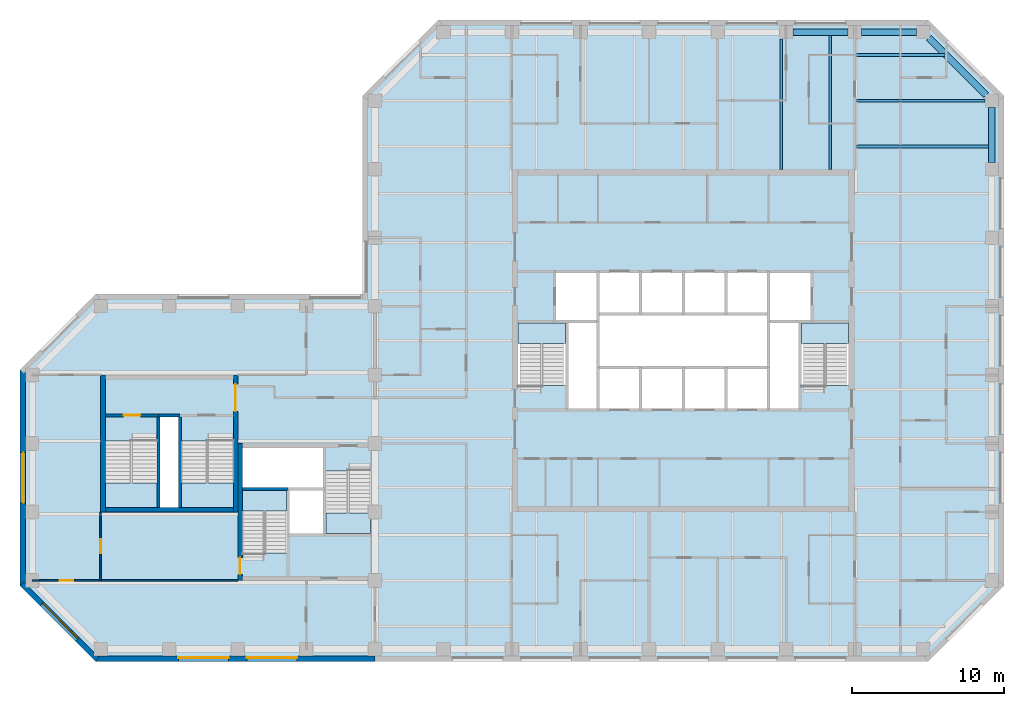
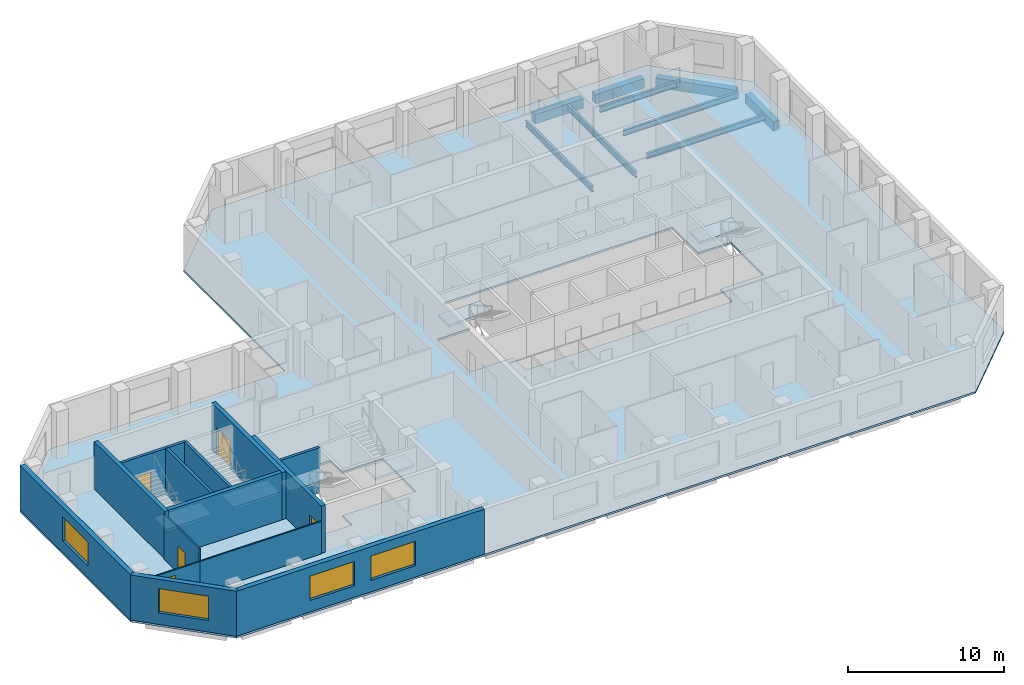
# One storey, part 2 of 10: 15 walls, 9 beams, 7 slabs, 5 doors, 4 windows, 9 openings, 6 elements without a shape of their own.
"""IFC4 building model written with IfcOpenShell, lengths in metres."""

from ifc_helpers import new_model, si_unit, direction, frame, frame_2d, origin, origin_2d, place, context, subcontext, project, spatial, polyline, rectangle, i_section, outline, extrude, material, layer, layer_set, constituent, constituent_set, material_profile, profile_set, type_object, element, fill, aggregate, save


model = new_model("IFC4")

# Units and contexts
model_context = context("Model", 3, precision=1e-05, world=origin(), true_north=direction((0.0, 1.0)))
body_context = subcontext(model_context, "Body", "Model", "MODEL_VIEW")
ifc_project = project(units=[si_unit("LENGTHUNIT", "METRE"), si_unit("AREAUNIT", "SQUARE_METRE"), si_unit("VOLUMEUNIT", "CUBIC_METRE"), si_unit("PLANEANGLEUNIT", "RADIAN"), si_unit("MASSUNIT", "GRAM", prefix="KILO")], contexts=[model_context])

# Site, building, storey
site_placement = place(None, origin())
site = spatial("IfcSite", under=ifc_project, at=site_placement, CompositionType="ELEMENT")
building_placement = place(site_placement, origin())
building = spatial("IfcBuilding", under=site, at=building_placement, Name="Quoin Convention Tower", CompositionType="ELEMENT")
storey_placement = place(building_placement, frame((0.0, 0.0, 195.800048828125)))
storey = spatial("IfcBuildingStorey", under=building, at=storey_placement, Name="L51", CompositionType="ELEMENT", Elevation=195.800048828125)

# Beams
ifc_material_1 = material(Name="Steel Grade 300", Category="steel")
ifc_material_profile_1 = material_profile(ifc_material_1, i_section(OverallWidth=0.18994140625, OverallDepth=0.4541015625, WebThickness=0.008544921875, FlangeThickness=0.0126953125, FilletRadius=0.011474609375, at=origin_2d()), Name="460UB67.1")
ifc_profile_set_1 = profile_set([ifc_material_profile_1], Name="Steel Grade 300")
beam_type_1 = type_object("IfcBeamType", Name="460UB67.1", PredefinedType="BEAM", material=ifc_profile_set_1)
beam_1_placement = place(storey_placement, frame((62.6787109375, 72.0, -0.376953125), z_axis=(0.0, 1.0, 0.0), x_axis=(-1.0, 0.0, 0.0)))
element("IfcBeam", 1, at=beam_1_placement, inside=storey, type_object=beam_type_1, Name="bm-L51-T1N5", PredefinedType="BEAM", context=body_context, shape_type="SweptSolid", body=[
    extrude(i_section(OverallWidth=0.18994140625, OverallDepth=0.4541015625, WebThickness=0.008544921875, FlangeThickness=0.0126953125, FilletRadius=0.011474609375, at=origin_2d()), origin(), (0.0, 0.0, 1.0), 8.550048828125),
])
beam_2_placement = place(storey_placement, frame((65.892822265625, 72.0, -0.376953125), z_axis=(0.0, 1.0, 0.0), x_axis=(-1.0, 0.0, 0.0)))
element("IfcBeam", 2, at=beam_2_placement, inside=storey, type_object=beam_type_1, Name="bm-L51-T1N6", PredefinedType="BEAM", context=body_context, shape_type="SweptSolid", body=[
    extrude(i_section(OverallWidth=0.18994140625, OverallDepth=0.4541015625, WebThickness=0.008544921875, FlangeThickness=0.0126953125, FilletRadius=0.011474609375, at=origin_2d()), origin(), (0.0, 0.0, 1.0), 8.77490234375),
])
beam_3_placement = place(storey_placement, frame((67.5, 79.5, -0.376953125), z_axis=(1.0, 0.0, 0.0), x_axis=(0.0, 1.0, 0.0)))
element("IfcBeam", 3, at=beam_3_placement, inside=storey, type_object=beam_type_1, Name="bm-L51-T1NE0", PredefinedType="BEAM", context=body_context, shape_type="SweptSolid", body=[
    extrude(i_section(OverallWidth=0.18994140625, OverallDepth=0.4541015625, WebThickness=0.008544921875, FlangeThickness=0.0126953125, FilletRadius=0.011474609375, at=origin_2d()), origin(), (0.0, 0.0, 1.0), 5.935791015625),
])
beam_4_placement = place(storey_placement, frame((67.5, 76.5, -0.376953125), z_axis=(1.0, 0.0, 0.0), x_axis=(0.0, 1.0, 0.0)))
element("IfcBeam", 4, at=beam_4_placement, inside=storey, type_object=beam_type_1, Name="bm-L51-T1NE1", PredefinedType="BEAM", context=body_context, shape_type="SweptSolid", body=[
    extrude(i_section(OverallWidth=0.18994140625, OverallDepth=0.4541015625, WebThickness=0.008544921875, FlangeThickness=0.0126953125, FilletRadius=0.011474609375, at=origin_2d()), origin(), (0.0, 0.0, 1.0), 8.550048828125),
])
beam_5_placement = place(storey_placement, frame((67.5, 73.5, -0.376953125), z_axis=(1.0, 0.0, 0.0), x_axis=(0.0, 1.0, 0.0)))
element("IfcBeam", 5, at=beam_5_placement, inside=storey, type_object=beam_type_1, Name="bm-L51-T1NE2", PredefinedType="BEAM", context=body_context, shape_type="SweptSolid", body=[
    extrude(i_section(OverallWidth=0.18994140625, OverallDepth=0.4541015625, WebThickness=0.008544921875, FlangeThickness=0.0126953125, FilletRadius=0.011474609375, at=origin_2d()), origin(), (0.0, 0.0, 1.0), 8.77490234375),
])
ifc_material_2 = material(Name="Concrete C50", Category="concrete")
ifc_material_profile_2 = material_profile(ifc_material_2, rectangle(XDim=0.449951171875, YDim=0.75, at=origin_2d()), Name="RC 450x750")
ifc_profile_set_2 = profile_set([ifc_material_profile_2], Name="Concrete C50")
beam_type_2 = type_object("IfcBeamType", Name="RC 450x750 C50", PredefinedType="SPANDREL", material=ifc_profile_set_2)
beam_6_placement = place(storey_placement, frame((76.5, 72.449951171875, -0.525146484375), z_axis=(0.0, 1.0, 0.0), x_axis=(-1.0, 0.0, 0.0)))
element("IfcBeam", 6, at=beam_6_placement, inside=storey, type_object=beam_type_2, Name="spd-L51-76500_72000-76500_76500", PredefinedType="SPANDREL", context=body_context, shape_type="SweptSolid", body=[
    extrude(rectangle(XDim=0.449951171875, YDim=0.75, at=origin_2d()), origin(), (0.0, 0.0, 1.0), 3.60009765625),
])
beam_7_placement = place(storey_placement, frame((76.135009765625, 76.864990234375, -0.525146484375), z_axis=(-0.707106781187, 0.707106781187, 0.0), x_axis=(-0.707106781187, -0.707106781187, 0.0)))
element("IfcBeam", 7, at=beam_7_placement, inside=storey, type_object=beam_type_2, Name="spd-L51-76500_76500-72000_81000", PredefinedType="SPANDREL", context=body_context, shape_type="SweptSolid", body=[
    extrude(rectangle(XDim=0.449951171875, YDim=0.75, at=origin_2d()), origin(), (0.0, 0.0, 1.0), 5.33154296875),
])
for number, where, z_axis, x_axis, name in (
    (8, (71.550048828125, 81.0, -0.525146484375), (-1.0, 0.0, 0.0), (0.0, -1.0, 0.0), "spd-L51-72000_81000-67500_81000"),
    (9, (67.050048828125, 81.0, -0.525146484375), (-1.0, 0.0, 0.0), (0.0, -1.0, 0.0), "spd-L51-67500_81000-63000_81000"),
):
    element("IfcBeam", number, at=place(storey_placement, frame(where, z_axis=z_axis, x_axis=x_axis)), inside=storey, type_object=beam_type_2, Name=name, PredefinedType="SPANDREL", context=body_context, shape_type="SweptSolid", body=[
        extrude(rectangle(XDim=0.449951171875, YDim=0.75, at=origin_2d()), origin(), (0.0, 0.0, 1.0), 3.60009765625),
    ])

# Slab
ifc_material_3 = material(Name="Concrete C40", Category="concrete")
ifc_layer_1 = layer(ifc_material_3, 0.14990234375)
ifc_layer_set_1 = layer_set([ifc_layer_1], Name="Concrete C40")
slab_type_1 = type_object("IfcSlabType", Name="COMPOSITE SLAB 150 C40", PredefinedType="FLOOR", material=ifc_layer_set_1)
slab_1_placement = place(storey_placement, frame((0.0, 0.0, -0.150146484375)))
element("IfcSlab", 10, at=slab_1_placement, inside=storey, type_object=slab_type_1, Name="slb-L51", PredefinedType="FLOOR", context=body_context, shape_type="SweptSolid", body=[
    extrude(outline(polyline([(17.668701171875, 39.699951171875), (12.699951171875, 44.668701171875), (12.699951171875, 58.831298828125), (17.668701171875, 63.800048828125), (35.199951171875, 63.800048828125), (35.199951171875, 76.831298828125), (40.168701171875, 81.800048828125), (72.331298828125, 81.800048828125), (77.300048828125, 76.831298828125), (77.300048828125, 44.668701171875), (72.331298828125, 39.699951171875), (17.668701171875, 39.699951171875)]), holes=[polyline([(27.300048828125, 51.0), (27.300048828125, 46.800537109375), (30.300048828125, 46.800537109375), (30.300048828125, 48.0), (32.699951171875, 48.0), (35.699951171875, 48.0), (35.699951171875, 52.199462890625), (32.699951171875, 52.199462890625), (32.699951171875, 53.699951171875), (27.300048828125, 53.699951171875), (27.300048828125, 51.0)]), polyline([(18.300048828125, 49.800048828125), (21.800048828125, 49.800048828125), (23.199951171875, 49.800048828125), (26.699951171875, 49.800048828125), (26.699951171875, 54.1494140625), (23.199951171875, 54.1494140625), (23.199951171875, 55.85009765625), (21.800048828125, 55.85009765625), (21.800048828125, 54.1494140625), (18.300048828125, 54.1494140625), (18.300048828125, 49.800048828125)]), polyline([(48.60009765625, 56.199951171875), (50.64990234375, 56.199951171875), (53.449951171875, 56.199951171875), (56.25, 56.199951171875), (59.050048828125, 56.199951171875), (61.85009765625, 56.199951171875), (63.89990234375, 56.199951171875), (63.89990234375, 57.800537109375), (67.10009765625, 57.800537109375), (67.10009765625, 62.0), (64.699951171875, 62.0), (64.699951171875, 65.300048828125), (61.85009765625, 65.300048828125), (59.050048828125, 65.300048828125), (56.25, 65.300048828125), (53.449951171875, 65.300048828125), (50.64990234375, 65.300048828125), (47.800048828125, 65.300048828125), (47.800048828125, 62.0), (45.39990234375, 62.0), (45.39990234375, 57.800537109375), (48.60009765625, 57.800537109375), (48.60009765625, 56.199951171875)])]), origin(), (0.0, 0.0, 1.0), 0.150146484375),
])

# Stair, slab
stair_type_1 = type_object("IfcStairType", Name="Exit stair two-flight 1350", PredefinedType="HALF_TURN_STAIR", material=ifc_material_3)
stair_1_placement = place(storey_placement, origin())
stair_1 = element("IfcStair", 11, at=stair_1_placement, inside=storey, type_object=stair_type_1, Name="SD1 L51", PredefinedType="HALF_TURN_STAIR")
ifc_layer_2 = layer(ifc_material_3, 0.199951171875)
ifc_layer_set_2 = layer_set([ifc_layer_2], Name="Concrete C40")
slab_type_2 = type_object("IfcSlabType", Name="Stair landing 200", PredefinedType="LANDING", material=ifc_layer_set_2)
slab_2_placement = place(storey_placement, frame((0.0, 0.0, 1.792236328125)))
slab_2 = element("IfcSlab", 12, at=slab_2_placement, type_object=slab_type_2, Name="ST1 landing 1", PredefinedType="LANDING", context=body_context, shape_type="SweptSolid", body=[
    extrude(outline(polyline([(45.39990234375, 60.550048828125), (48.5, 60.550048828125), (48.5, 61.89990234375), (45.39990234375, 61.89990234375), (45.39990234375, 60.550048828125)])), origin(), (0.0, 0.0, 1.0), 0.199951171875),
])
aggregate(stair_1, [slab_2])

stair_2_placement = place(storey_placement, origin())
stair_2 = element("IfcStair", 13, at=stair_2_placement, inside=storey, type_object=stair_type_1, Name="SD2 L51", PredefinedType="HALF_TURN_STAIR")
slab_3_placement = place(storey_placement, frame((0.0, 0.0, 1.792236328125)))
slab_3 = element("IfcSlab", 14, at=slab_3_placement, type_object=slab_type_2, Name="ST2 landing 1", PredefinedType="LANDING", context=body_context, shape_type="SweptSolid", body=[
    extrude(outline(polyline([(64.0, 60.550048828125), (67.10009765625, 60.550048828125), (67.10009765625, 61.89990234375), (64.0, 61.89990234375), (64.0, 60.550048828125)])), origin(), (0.0, 0.0, 1.0), 0.199951171875),
])
aggregate(stair_2, [slab_3])

stair_3_placement = place(storey_placement, origin())
stair_3 = element("IfcStair", 15, at=stair_3_placement, inside=storey, type_object=stair_type_1, Name="SD3 L51", PredefinedType="HALF_TURN_STAIR")
slab_4_placement = place(storey_placement, frame((0.0, 0.0, 1.792236328125)))
slab_4 = element("IfcSlab", 16, at=slab_4_placement, type_object=slab_type_2, Name="ST3 landing 1", PredefinedType="LANDING", context=body_context, shape_type="SweptSolid", body=[
    extrude(outline(polyline([(27.300048828125, 49.550048828125), (30.199951171875, 49.550048828125), (30.199951171875, 50.89990234375), (27.300048828125, 50.89990234375), (27.300048828125, 49.550048828125)])), origin(), (0.0, 0.0, 1.0), 0.199951171875),
])
aggregate(stair_3, [slab_4])

stair_4_placement = place(storey_placement, origin())
stair_4 = element("IfcStair", 17, at=stair_4_placement, inside=storey, type_object=stair_type_1, Name="SD4 L51", PredefinedType="HALF_TURN_STAIR")
slab_5_placement = place(storey_placement, frame((0.0, 0.0, 1.792236328125)))
slab_5 = element("IfcSlab", 18, at=slab_5_placement, type_object=slab_type_2, Name="ST4 landing 1", PredefinedType="LANDING", context=body_context, shape_type="SweptSolid", body=[
    extrude(outline(polyline([(35.699951171875, 49.449951171875), (32.800048828125, 49.449951171875), (32.800048828125, 48.10009765625), (35.699951171875, 48.10009765625), (35.699951171875, 49.449951171875)])), origin(), (0.0, 0.0, 1.0), 0.199951171875),
])
aggregate(stair_4, [slab_5])

stair_type_2 = type_object("IfcStairType", Name="Exit stair two-flight 1600", PredefinedType="HALF_TURN_STAIR", material=ifc_material_3)
stair_5_placement = place(storey_placement, origin())
stair_5 = element("IfcStair", 19, at=stair_5_placement, inside=storey, type_object=stair_type_2, Name="SD11 L51", PredefinedType="HALF_TURN_STAIR")
slab_6_placement = place(storey_placement, frame((0.0, 0.0, 1.792236328125)))
slab_6 = element("IfcSlab", 20, at=slab_6_placement, type_object=slab_type_2, Name="ST11 landing 1", PredefinedType="LANDING", context=body_context, shape_type="SweptSolid", body=[
    extrude(outline(polyline([(21.699951171875, 51.39990234375), (18.300048828125, 51.39990234375), (18.300048828125, 49.800048828125), (21.699951171875, 49.800048828125), (21.699951171875, 51.39990234375)])), origin(), (0.0, 0.0, 1.0), 0.199951171875),
])
aggregate(stair_5, [slab_6])

stair_6_placement = place(storey_placement, origin())
stair_6 = element("IfcStair", 21, at=stair_6_placement, inside=storey, type_object=stair_type_2, Name="SD12 L51", PredefinedType="HALF_TURN_STAIR")
slab_7_placement = place(storey_placement, frame((0.0, 0.0, 1.792236328125)))
slab_7 = element("IfcSlab", 22, at=slab_7_placement, type_object=slab_type_2, Name="ST12 landing 1", PredefinedType="LANDING", context=body_context, shape_type="SweptSolid", body=[
    extrude(outline(polyline([(26.699951171875, 51.39990234375), (23.300048828125, 51.39990234375), (23.300048828125, 49.800048828125), (26.699951171875, 49.800048828125), (26.699951171875, 51.39990234375)])), origin(), (0.0, 0.0, 1.0), 0.199951171875),
])
aggregate(stair_6, [slab_7])

# Wall, opening, window
ifc_material_4 = material(Name="Brick masonry", Category="masonry")
ifc_layer_3 = layer(ifc_material_4, 0.35009765625)
ifc_layer_set_3 = layer_set([ifc_layer_3], Name="Brick masonry")
wall_type_1 = type_object("IfcWallType", Name="Brick facade wall", PredefinedType="STANDARD", material=ifc_layer_set_3)
wall_1_placement = place(storey_placement, frame((12.875, 58.831298828125, 0.0), z_axis=(0.0, 0.0, 1.0), x_axis=(0.0, -1.0, 0.0)))
wall_1 = element("IfcWall", 23, at=wall_1_placement, inside=storey, type_object=wall_type_1, Name="fw-L51-13500_58500", PredefinedType="STANDARD", context=body_context, shape_type="SweptSolid", body=[
    extrude(rectangle(XDim=14.16259765625, YDim=0.35009765625, at=frame_2d((7.081298828125, 0.0))), origin(), (0.0, 0.0, 1.0), 3.52490234375),
])
opening_1_placement = place(wall_1_placement, frame((5.431396484375, 0.0, 0.89990234375)))
opening_1 = element("IfcOpeningElement", 24, at=opening_1_placement, cuts=wall_1, Name="Opening W-02", PredefinedType="OPENING", context=body_context, shape_type="SweptSolid", body=[
    extrude(rectangle(XDim=3.300048828125, YDim=1.89990234375, at=frame_2d((1.64990234375, 0.949951171875))), frame((0.0, 0.18505859375, 0.0), z_axis=(0.0, -1.0, 0.0), x_axis=(1.0, 0.0, 0.0)), (0.0, 0.0, 1.0), 0.3701171875),
])
ifc_material_5 = material(Name="Aluminium", Category="aluminium")
ifc_constituent_1 = constituent(ifc_material_5, Name="Frame")
ifc_material_6 = material(Name="Insulated glass", Category="glass")
ifc_constituent_2 = constituent(ifc_material_6, Name="Glazing")
ifc_constituent_set = constituent_set(constituents=[ifc_constituent_1, ifc_constituent_2], Name="Aluminium")
window_type = type_object("IfcWindowType", Name="Office window", PartitioningType="DOUBLE_PANEL_VERTICAL", PredefinedType="WINDOW", material=ifc_constituent_set)
window_1_placement = place(opening_1_placement, origin())
window_1 = element("IfcWindow", 25, at=window_1_placement, inside=storey, type_object=window_type, Name="win-L51-12875_51750", OverallHeight=1.89990234375, OverallWidth=3.300048828125, PartitioningType="SINGLE_PANEL", PredefinedType="WINDOW", context=body_context, shape_type="SweptSolid", body=[
    extrude(rectangle(XDim=3.300048828125, YDim=1.89990234375, at=frame_2d((1.64990234375, 0.949951171875))), frame((0.0, 0.0849609375, 0.0), z_axis=(0.0, -1.0, 0.0), x_axis=(1.0, 0.0, 0.0)), (0.0, 0.0, 1.0), 0.06005859375),
])
fill(opening_1, window_1)

wall_2_placement = place(storey_placement, frame((12.82373046875, 44.79248046875, 0.0), z_axis=(0.0, 0.0, 1.0), x_axis=(0.707106781187, -0.707106781187, 0.0)))
wall_2 = element("IfcWall", 26, at=wall_2_placement, inside=storey, type_object=wall_type_1, Name="fw-L51-13500_45000", PredefinedType="STANDARD", context=body_context, shape_type="SweptSolid", body=[
    extrude(rectangle(XDim=7.02685546875, YDim=0.35009765625, at=frame_2d((3.513427734375, 0.0))), origin(), (0.0, 0.0, 1.0), 3.52490234375),
])
opening_2_placement = place(wall_2_placement, frame((1.86328125, 0.0, 0.89990234375)))
opening_2 = element("IfcOpeningElement", 27, at=opening_2_placement, cuts=wall_2, Name="Opening W-02", PredefinedType="OPENING", context=body_context, shape_type="SweptSolid", body=[
    extrude(rectangle(XDim=3.300048828125, YDim=1.89990234375, at=frame_2d((1.64990234375, 0.949951171875))), frame((0.0, 0.18505859375, 0.0), z_axis=(0.0, -1.0, 0.0), x_axis=(1.0, 0.0, 0.0)), (0.0, 0.0, 1.0), 0.3701171875),
])
window_2_placement = place(opening_2_placement, origin())
window_2 = element("IfcWindow", 28, at=window_2_placement, inside=storey, type_object=window_type, Name="win-L51-15308_42308", OverallHeight=1.89990234375, OverallWidth=3.300048828125, PartitioningType="SINGLE_PANEL", PredefinedType="WINDOW", context=body_context, shape_type="SweptSolid", body=[
    extrude(rectangle(XDim=3.300048828125, YDim=1.89990234375, at=frame_2d((1.64990234375, 0.949951171875))), frame((0.0, 0.0849609375, 0.0), z_axis=(0.0, -1.0, 0.0), x_axis=(1.0, 0.0, 0.0)), (0.0, 0.0, 1.0), 0.06005859375),
])
fill(opening_2, window_2)

# Wall, openings, windows
wall_3_placement = place(storey_placement, frame((17.668701171875, 39.875, 0.0), z_axis=(0.0, 0.0, 1.0), x_axis=(1.0, 0.0, 0.0)))
wall_3 = element("IfcWall", 29, at=wall_3_placement, inside=storey, type_object=wall_type_1, Name="fw-L51-18000_40500", PredefinedType="STANDARD", context=body_context, shape_type="SweptSolid", body=[
    extrude(rectangle(XDim=18.331298828125, YDim=0.35009765625, at=frame_2d((9.16552734375, 0.0))), origin(), (0.0, 0.0, 1.0), 3.52490234375),
])
opening_3_placement = place(wall_3_placement, frame((5.431396484375, 0.0, 0.89990234375)))
opening_3 = element("IfcOpeningElement", 30, at=opening_3_placement, cuts=wall_3, Name="Opening W-02", PredefinedType="OPENING", context=body_context, shape_type="SweptSolid", body=[
    extrude(rectangle(XDim=3.300048828125, YDim=1.89990234375, at=frame_2d((1.64990234375, 0.949951171875))), frame((0.0, 0.18505859375, 0.0), z_axis=(0.0, -1.0, 0.0), x_axis=(1.0, 0.0, 0.0)), (0.0, 0.0, 1.0), 0.3701171875),
])
opening_4_placement = place(wall_3_placement, frame((9.931396484375, 0.0, 0.89990234375)))
opening_4 = element("IfcOpeningElement", 31, at=opening_4_placement, cuts=wall_3, Name="Opening W-02", PredefinedType="OPENING", context=body_context, shape_type="SweptSolid", body=[
    extrude(rectangle(XDim=3.300048828125, YDim=1.89990234375, at=frame_2d((1.64990234375, 0.949951171875))), frame((0.0, 0.18505859375, 0.0), z_axis=(0.0, -1.0, 0.0), x_axis=(1.0, 0.0, 0.0)), (0.0, 0.0, 1.0), 0.3701171875),
])
window_3_placement = place(opening_3_placement, origin())
window_3 = element("IfcWindow", 32, at=window_3_placement, inside=storey, type_object=window_type, Name="win-L51-24750_39875", OverallHeight=1.89990234375, OverallWidth=3.300048828125, PartitioningType="SINGLE_PANEL", PredefinedType="WINDOW", context=body_context, shape_type="SweptSolid", body=[
    extrude(rectangle(XDim=3.300048828125, YDim=1.89990234375, at=frame_2d((1.64990234375, 0.949951171875))), frame((0.0, 0.0849609375, 0.0), z_axis=(0.0, -1.0, 0.0), x_axis=(1.0, 0.0, 0.0)), (0.0, 0.0, 1.0), 0.06005859375),
])
fill(opening_3, window_3)
window_4_placement = place(opening_4_placement, origin())
window_4 = element("IfcWindow", 33, at=window_4_placement, inside=storey, type_object=window_type, Name="win-L51-29250_39875", OverallHeight=1.89990234375, OverallWidth=3.300048828125, PartitioningType="SINGLE_PANEL", PredefinedType="WINDOW", context=body_context, shape_type="SweptSolid", body=[
    extrude(rectangle(XDim=3.300048828125, YDim=1.89990234375, at=frame_2d((1.64990234375, 0.949951171875))), frame((0.0, 0.0849609375, 0.0), z_axis=(0.0, -1.0, 0.0), x_axis=(1.0, 0.0, 0.0)), (0.0, 0.0, 1.0), 0.06005859375),
])
fill(opening_4, window_4)

# Walls
ifc_layer_4 = layer(ifc_material_2, 0.199951171875)
ifc_layer_set_4 = layer_set([ifc_layer_4], Name="Concrete C50")
wall_type_2 = type_object("IfcWallType", Name="Core shaft wall", PredefinedType="SOLIDWALL", material=ifc_layer_set_4)
wall_4_placement = place(storey_placement, frame((27.300048828125, 51.0, 0.0), z_axis=(0.0, 0.0, 1.0), x_axis=(1.0, 0.0, 0.0)))
element("IfcWall", 34, at=wall_4_placement, inside=storey, type_object=wall_type_2, Name="cr-P2-L51-h6000_300", PredefinedType="SOLIDWALL", context=body_context, shape_type="SweptSolid", body=[
    extrude(rectangle(XDim=3.0, YDim=0.199951171875, at=frame_2d((1.5, 0.0))), origin(), (0.0, 0.0, 1.0), 3.550048828125),
])
wall_5_placement = place(storey_placement, frame((21.800048828125, 55.85009765625, 0.0), z_axis=(0.0, 0.0, 1.0), x_axis=(1.0, 0.0, 0.0)))
element("IfcWall", 35, at=wall_5_placement, inside=storey, type_object=wall_type_2, Name="cr-P6-L51-h6350_3800", PredefinedType="SOLIDWALL", context=body_context, shape_type="SweptSolid", body=[
    extrude(rectangle(XDim=1.39990234375, YDim=0.199951171875, at=frame_2d((0.699951171875, 0.0))), origin(), (0.0, 0.0, 1.0), 3.550048828125),
])

# Wall, opening, door
wall_6_placement = place(storey_placement, frame((18.300048828125, 55.85009765625, 0.0), z_axis=(0.0, 0.0, 1.0), x_axis=(1.0, 0.0, 0.0)))
wall_6 = element("IfcWall", 36, at=wall_6_placement, inside=storey, type_object=wall_type_2, Name="cr-P6-L51-h6350_300", PredefinedType="SOLIDWALL", context=body_context, shape_type="SweptSolid", body=[
    extrude(rectangle(XDim=3.5, YDim=0.199951171875, at=frame_2d((1.75, 0.0))), origin(), (0.0, 0.0, 1.0), 3.550048828125),
])
opening_5_placement = place(wall_6_placement, frame((1.199951171875, 0.0, 0.0)))
opening_5 = element("IfcOpeningElement", 37, at=opening_5_placement, cuts=wall_6, Name="Opening SD11", PredefinedType="OPENING", context=body_context, shape_type="SweptSolid", body=[
    extrude(rectangle(XDim=1.10009765625, YDim=2.10009765625, at=frame_2d((0.550048828125, 1.050048828125))), frame((0.0, 0.10986328125, 0.0), z_axis=(0.0, -1.0, 0.0), x_axis=(1.0, 0.0, 0.0)), (0.0, 0.0, 1.0), 0.219970703125),
])
ifc_material_7 = material(Name="Steel door leaf", Category="steel")
door_type_1 = type_object("IfcDoorType", Name="Stair door 1100 x 2100", OperationType="SINGLE_SWING_RIGHT", PredefinedType="DOOR", material=ifc_material_7)
door_1_placement = place(opening_5_placement, origin())
door_1 = element("IfcDoor", 38, at=door_1_placement, inside=storey, type_object=door_type_1, Name="cd-P6-L51-SA-R2-SD11", OperationType="SINGLE_SWING_RIGHT", OverallHeight=2.10009765625, OverallWidth=1.10009765625, PredefinedType="DOOR", context=body_context, shape_type="SweptSolid", body=[
    extrude(rectangle(XDim=1.10009765625, YDim=2.10009765625, at=frame_2d((0.550048828125, 1.050048828125))), frame((0.0, 0.02490234375, 0.0), z_axis=(0.0, -1.0, 0.0), x_axis=(1.0, 0.0, 0.0)), (0.0, 0.0, 1.0), 0.050048828125),
])
fill(opening_5, door_1)

# Walls
for number, where, z_axis, x_axis, name in (
    (39, (21.800048828125, 49.800048828125, 0.0), (0.0, 0.0, 1.0), (0.0, 1.0, 0.0), "cr-P6-L51-v3800_300"),
    (40, (23.199951171875, 49.800048828125, 0.0), (0.0, 0.0, 1.0), (0.0, 1.0, 0.0), "cr-P6-L51-v5200_300"),
):
    element("IfcWall", number, at=place(storey_placement, frame(where, z_axis=z_axis, x_axis=x_axis)), inside=storey, type_object=wall_type_2, Name=name, PredefinedType="SOLIDWALL", context=body_context, shape_type="SweptSolid", body=[
        extrude(rectangle(XDim=6.050048828125, YDim=0.199951171875, at=frame_2d((3.02490234375, 0.0))), origin(), (0.0, 0.0, 1.0), 3.550048828125),
    ])

# Wall, opening, door
ifc_layer_5 = layer(ifc_material_2, 0.300048828125)
ifc_layer_set_5 = layer_set([ifc_layer_5], Name="Concrete C50")
wall_type_3 = type_object("IfcWallType", Name="RC CORE WALL 300 C50", PredefinedType="SHEAR", material=ifc_layer_set_5)
wall_7_placement = place(storey_placement, frame((27.14990234375, 45.0, 0.0), z_axis=(0.0, 0.0, 1.0), x_axis=(0.0, 1.0, 0.0)))
wall_7 = element("IfcWall", 41, at=wall_7_placement, inside=storey, type_object=wall_type_3, Name="cwl-P2-L51-W", PredefinedType="SHEAR", context=body_context, shape_type="SweptSolid", body=[
    extrude(rectangle(XDim=9.0, YDim=0.300048828125, at=frame_2d((4.5, 0.0))), origin(), (0.0, 0.0, 1.0), 3.699951171875),
])
opening_6_placement = place(wall_7_placement, frame((0.39990234375, 0.0, 0.0)))
opening_6 = element("IfcOpeningElement", 42, at=opening_6_placement, cuts=wall_7, Name="Opening SD3", PredefinedType="OPENING", context=body_context, shape_type="SweptSolid", body=[
    extrude(rectangle(XDim=1.10009765625, YDim=2.10009765625, at=frame_2d((0.550048828125, 1.050048828125))), frame((0.0, 0.159912109375, 0.0), z_axis=(0.0, -1.0, 0.0), x_axis=(1.0, 0.0, 0.0)), (0.0, 0.0, 1.0), 0.320068359375),
])
door_2_placement = place(opening_6_placement, frame((1.10009765625, 0.0, 0.0), z_axis=(0.0, 0.0, 1.0), x_axis=(-1.0, 0.0, 0.0)))
door_2 = element("IfcDoor", 43, at=door_2_placement, inside=storey, type_object=door_type_1, Name="cd-P2-L51-SA-W", OperationType="SINGLE_SWING_RIGHT", OverallHeight=2.10009765625, OverallWidth=1.10009765625, PredefinedType="DOOR", context=body_context, shape_type="SweptSolid", body=[
    extrude(rectangle(XDim=1.10009765625, YDim=2.10009765625, at=frame_2d((0.550048828125, 1.050048828125))), frame((0.0, 0.02490234375, 0.0), z_axis=(0.0, -1.0, 0.0), x_axis=(1.0, 0.0, 0.0)), (0.0, 0.0, 1.0), 0.050048828125),
])
fill(opening_6, door_2)

# Walls
wall_8_placement = place(storey_placement, frame((18.300048828125, 49.64990234375, 0.0), z_axis=(0.0, 0.0, 1.0), x_axis=(1.0, 0.0, 0.0)))
element("IfcWall", 44, at=wall_8_placement, inside=storey, type_object=wall_type_3, Name="cwl-P6-L51-S", PredefinedType="SHEAR", context=body_context, shape_type="SweptSolid", body=[
    extrude(rectangle(XDim=8.39990234375, YDim=0.300048828125, at=frame_2d((4.199951171875, 0.0))), origin(), (0.0, 0.0, 1.0), 3.699951171875),
])
wall_9_placement = place(storey_placement, frame((18.14990234375, 49.5, 0.0), z_axis=(0.0, 0.0, 1.0), x_axis=(0.0, 1.0, 0.0)))
element("IfcWall", 45, at=wall_9_placement, inside=storey, type_object=wall_type_3, Name="cwl-P6-L51-W", PredefinedType="SHEAR", context=body_context, shape_type="SweptSolid", body=[
    extrude(rectangle(XDim=9.0, YDim=0.300048828125, at=frame_2d((4.5, 0.0))), origin(), (0.0, 0.0, 1.0), 3.699951171875),
])

# Wall, opening, door
wall_10_placement = place(storey_placement, frame((26.85009765625, 49.5, 0.0), z_axis=(0.0, 0.0, 1.0), x_axis=(0.0, 1.0, 0.0)))
wall_10 = element("IfcWall", 46, at=wall_10_placement, inside=storey, type_object=wall_type_3, Name="cwl-P6-L51-E", PredefinedType="SHEAR", context=body_context, shape_type="SweptSolid", body=[
    extrude(rectangle(XDim=9.0, YDim=0.300048828125, at=frame_2d((4.5, 0.0))), origin(), (0.0, 0.0, 1.0), 3.699951171875),
])
opening_7_placement = place(wall_10_placement, frame((6.60009765625, 0.0, 0.0)))
opening_7 = element("IfcOpeningElement", 47, at=opening_7_placement, cuts=wall_10, Name="Opening DCV5-54", PredefinedType="OPENING", context=body_context, shape_type="SweptSolid", body=[
    extrude(rectangle(XDim=1.800048828125, YDim=2.10009765625, at=frame_2d((0.89990234375, 1.050048828125))), frame((0.0, 0.159912109375, 0.0), z_axis=(0.0, -1.0, 0.0), x_axis=(1.0, 0.0, 0.0)), (0.0, 0.0, 1.0), 0.320068359375),
])
door_type_2 = type_object("IfcDoorType", Name="Goods lobby door 1800 x 2100", OperationType="SINGLE_SWING_LEFT", PredefinedType="DOOR", material=ifc_material_7)
door_3_placement = place(opening_7_placement, origin())
door_3 = element("IfcDoor", 48, at=door_3_placement, inside=storey, type_object=door_type_2, Name="cd-P6-L51-R2-E", OperationType="SINGLE_SWING_LEFT", OverallHeight=2.10009765625, OverallWidth=1.800048828125, PredefinedType="DOOR", context=body_context, shape_type="SweptSolid", body=[
    extrude(rectangle(XDim=1.800048828125, YDim=2.10009765625, at=frame_2d((0.89990234375, 1.050048828125))), frame((0.0, 0.02490234375, 0.0), z_axis=(0.0, -1.0, 0.0), x_axis=(1.0, 0.0, 0.0)), (0.0, 0.0, 1.0), 0.050048828125),
])
fill(opening_7, door_3)

ifc_material_8 = material(Name="Plasterboard")
ifc_layer_6 = layer(ifc_material_8, 0.012451171875, Name="Finish")
ifc_material_9 = material(Name="Steel stud framing", Category="steel")
ifc_layer_7 = layer(ifc_material_9, 0.074951171875, Name="Structure")
ifc_layer_8 = layer(ifc_material_8, 0.012451171875, Name="Finish")
ifc_layer_set_6 = layer_set([ifc_layer_6, ifc_layer_7, ifc_layer_8], Name="Steel stud framing")
wall_type_4 = type_object("IfcWallType", Name="Stud partition 100", PredefinedType="PARTITIONING", material=ifc_layer_set_6)
wall_11_placement = place(storey_placement, frame((18.0, 49.5, 0.0), z_axis=(0.0, 0.0, 1.0), x_axis=(0.0, -1.0, 0.0)))
wall_11 = element("IfcWall", 49, at=wall_11_placement, inside=storey, type_object=wall_type_4, Name="pw-L51-w05", PredefinedType="PARTITIONING", context=body_context, shape_type="SweptSolid", body=[
    extrude(rectangle(XDim=4.5, YDim=0.10009765625, at=frame_2d((2.25, 0.0))), origin(), (0.0, 0.0, 1.0), 3.550048828125),
])
opening_8_placement = place(wall_11_placement, frame((1.800048828125, 0.0, 0.0)))
opening_8 = element("IfcOpeningElement", 50, at=opening_8_placement, cuts=wall_11, Name="Opening DOH7-33", PredefinedType="OPENING", context=body_context, shape_type="SweptSolid", body=[
    extrude(rectangle(XDim=0.89990234375, YDim=2.10009765625, at=frame_2d((0.449951171875, 1.050048828125))), frame((0.0, 0.06005859375, 0.0), z_axis=(0.0, -1.0, 0.0), x_axis=(1.0, 0.0, 0.0)), (0.0, 0.0, 1.0), 0.1201171875),
])
door_type_3 = type_object("IfcDoorType", Name="Office door 900 x 2100", OperationType="SINGLE_SWING_RIGHT", PredefinedType="DOOR", material=ifc_material_7)
door_4_placement = place(opening_8_placement, frame((0.89990234375, 0.0, 0.0), z_axis=(0.0, 0.0, 1.0), x_axis=(-1.0, 0.0, 0.0)))
door_4 = element("IfcDoor", 51, at=door_4_placement, inside=storey, type_object=door_type_3, Name="dr-L51-w05", OperationType="SINGLE_SWING_LEFT", OverallHeight=2.10009765625, OverallWidth=0.89990234375, PredefinedType="DOOR", context=body_context, shape_type="SweptSolid", body=[
    extrude(rectangle(XDim=0.89990234375, YDim=2.10009765625, at=frame_2d((0.449951171875, 1.050048828125))), frame((0.0, 0.02490234375, 0.0), z_axis=(0.0, -1.0, 0.0), x_axis=(1.0, 0.0, 0.0)), (0.0, 0.0, 1.0), 0.050048828125),
])
fill(opening_8, door_4)

ifc_layer_9 = layer(ifc_material_8, 0.012451171875, Name="Finish")
ifc_layer_10 = layer(ifc_material_9, 0.074951171875, Name="Structure")
ifc_layer_11 = layer(ifc_material_8, 0.012451171875, Name="Finish")
ifc_layer_set_7 = layer_set([ifc_layer_9, ifc_layer_10, ifc_layer_11], Name="Steel stud framing")
wall_type_5 = type_object("IfcWallType", Name="Stud partition 100 under beam 1000", PredefinedType="PARTITIONING", material=ifc_layer_set_7)
wall_12_placement = place(storey_placement, frame((18.0, 45.0, 0.0), z_axis=(0.0, 0.0, 1.0), x_axis=(-1.0, 0.0, 0.0)))
wall_12 = element("IfcWall", 52, at=wall_12_placement, inside=storey, type_object=wall_type_5, Name="pw-L51-w04", PredefinedType="PARTITIONING", context=body_context, shape_type="SweptSolid", body=[
    extrude(rectangle(XDim=4.5, YDim=0.10009765625, at=frame_2d((2.25, 0.0))), origin(), (0.0, 0.0, 1.0), 2.550048828125),
])
opening_9_placement = place(wall_12_placement, frame((1.800048828125, 0.0, 0.0)))
opening_9 = element("IfcOpeningElement", 53, at=opening_9_placement, cuts=wall_12, Name="Opening DOH7-32", PredefinedType="OPENING", context=body_context, shape_type="SweptSolid", body=[
    extrude(rectangle(XDim=0.89990234375, YDim=2.10009765625, at=frame_2d((0.449951171875, 1.050048828125))), frame((0.0, 0.06005859375, 0.0), z_axis=(0.0, -1.0, 0.0), x_axis=(1.0, 0.0, 0.0)), (0.0, 0.0, 1.0), 0.1201171875),
])
door_5_placement = place(opening_9_placement, origin())
door_5 = element("IfcDoor", 54, at=door_5_placement, inside=storey, type_object=door_type_3, Name="dr-L51-w04", OperationType="SINGLE_SWING_LEFT", OverallHeight=2.10009765625, OverallWidth=0.89990234375, PredefinedType="DOOR", context=body_context, shape_type="SweptSolid", body=[
    extrude(rectangle(XDim=0.89990234375, YDim=2.10009765625, at=frame_2d((0.449951171875, 1.050048828125))), frame((0.0, 0.02490234375, 0.0), z_axis=(0.0, -1.0, 0.0), x_axis=(1.0, 0.0, 0.0)), (0.0, 0.0, 1.0), 0.050048828125),
])
fill(opening_9, door_5)

# Wall
wall_13_placement = place(storey_placement, frame((18.0, 45.0, 0.0), z_axis=(0.0, 0.0, 1.0), x_axis=(1.0, 0.0, 0.0)))
element("IfcWall", 55, at=wall_13_placement, inside=storey, type_object=wall_type_5, Name="pw-L51-w06", PredefinedType="PARTITIONING", context=body_context, shape_type="SweptSolid", body=[
    extrude(rectangle(XDim=9.0, YDim=0.10009765625, at=frame_2d((4.5, 0.0))), origin(), (0.0, 0.0, 1.0), 2.550048828125),
])

save(model, "model.ifc")
